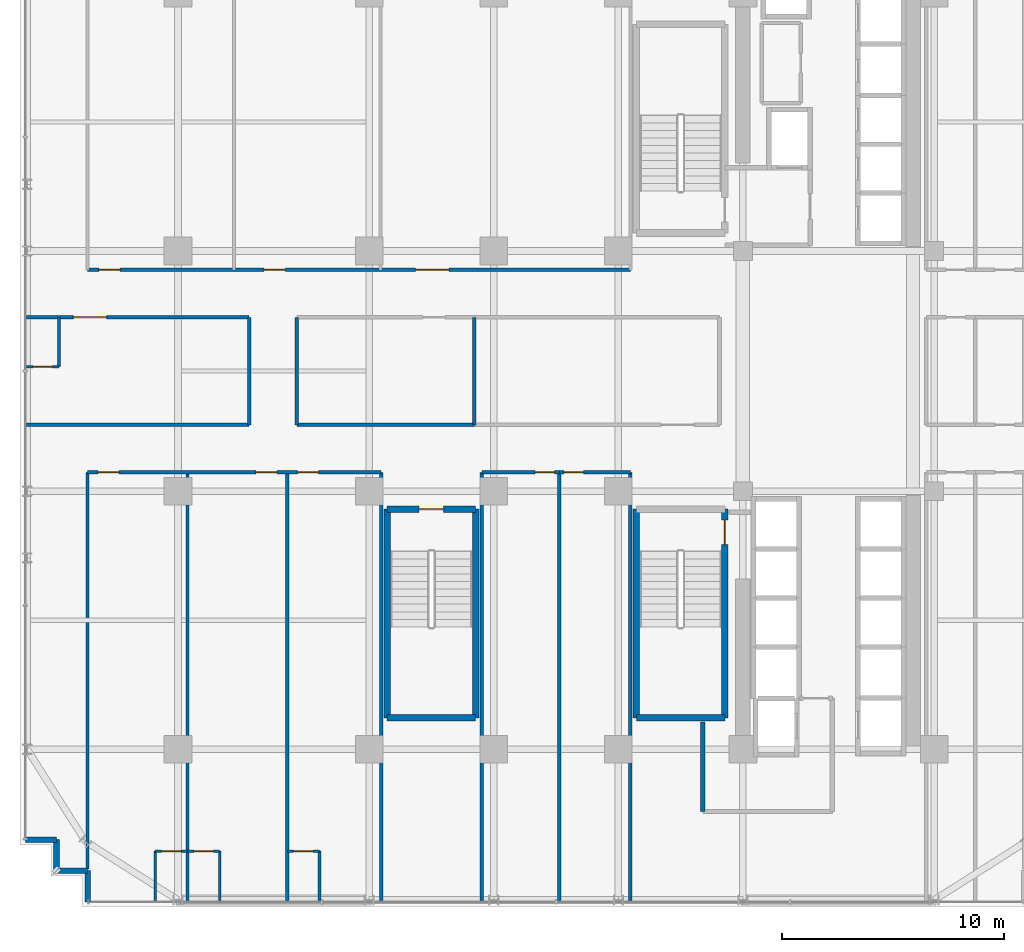
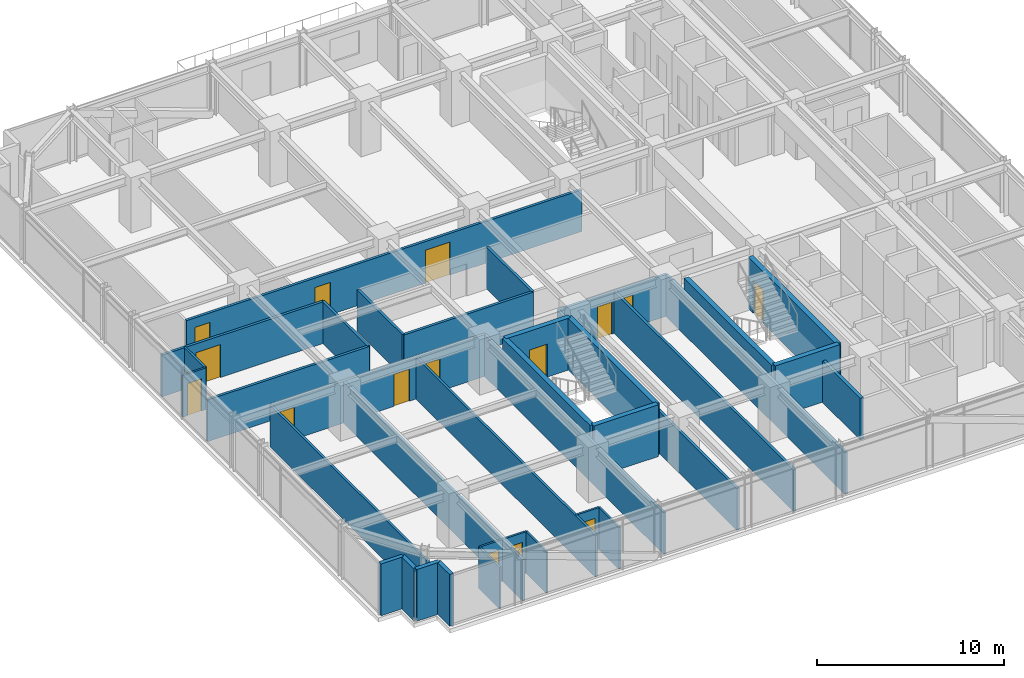
# One storey, part 33 of 41: 37 walls, 15 doors, 15 openings.
"""IFC4 building model written with IfcOpenShell, lengths in metres."""

import ifcopenshell
import ifcopenshell.guid

model = None  # the IFC model being written
_history = None  # IfcOwnerHistory: only IFC2X3 demands one
_inside = {}  # id of a spatial element -> (the spatial element, [elements in it])
_under = {}  # id of a project, library or spatial element -> (it, [spatial elements below it])
_declared = {}  # id of a project -> (the project, [libraries it declares])
_typed = {}  # id of a type object -> (the type object, [elements of that type])
_made_of = {}  # id of a material, layer set ... -> (it, [elements and type objects made of it])


def new_model(schema):
    """Start an empty IFC model of exactly this schema.

    Asked for "IFC4X3", IfcOpenShell would pick the latest addendum, in which some entities
    have other attributes; the version numbers below select the first issue.
    IFC2X3 requires an IfcOwnerHistory on every rooted entity: one is made here for all.
    """
    global model, _history
    if schema == "IFC4X3":
        model = ifcopenshell.file(schema_version=(4, 3, 0, 0))
    else:
        model = ifcopenshell.file(schema=schema)
    _inside.clear()
    _under.clear()
    _declared.clear()
    _typed.clear()
    _made_of.clear()
    _history = None
    if model.schema == "IFC2X3":
        org = make("IfcOrganization", Name="unknown")
        user = make(
            "IfcPersonAndOrganization",
            ThePerson=make("IfcPerson", FamilyName="unknown"),
            TheOrganization=org,
        )
        app = make(
            "IfcApplication",
            ApplicationDeveloper=org,
            Version="unknown",
            ApplicationFullName="unknown",
            ApplicationIdentifier="unknown",
        )
        _history = make(
            "IfcOwnerHistory",
            OwningUser=user,
            OwningApplication=app,
            ChangeAction="ADDED",
            CreationDate=0,
        )
    return model


def make(cls, **values):
    """One entity of the class cls with the attributes given. An attribute that is None is left unset."""
    return model.create_entity(
        cls, **{name: value for name, value in values.items() if value is not None}
    )


def rooted(cls, **values):
    """An entity with a GlobalId (a new one), such as an element, a storey or a relation."""
    return make(cls, GlobalId=ifcopenshell.guid.new(), OwnerHistory=_history, **values)


def si_unit(unit_type, name, prefix=None):
    """IfcSIUnit, for example si_unit("LENGTHUNIT", "METRE", prefix="MILLI")."""
    return make("IfcSIUnit", UnitType=unit_type, Prefix=prefix, Name=name)


def assignment(units):
    """IfcUnitAssignment: the units of a project."""
    return None if units is None else make("IfcUnitAssignment", Units=units)


def point(xyz):
    """IfcCartesianPoint."""
    return None if xyz is None else make("IfcCartesianPoint", Coordinates=xyz)


def direction(xyz):
    """IfcDirection."""
    return None if xyz is None else make("IfcDirection", DirectionRatios=xyz)


def frame(location, z_axis=None, x_axis=None):
    """IfcAxis2Placement3D, a coordinate frame: its origin and axes. An axis left out is left unset."""
    return make(
        "IfcAxis2Placement3D",
        Location=point(location),
        Axis=direction(z_axis),
        RefDirection=direction(x_axis),
    )


def frame_2d(location, x_axis=None):
    """IfcAxis2Placement2D, a coordinate frame in the plane: its origin and x axis."""
    return make(
        "IfcAxis2Placement2D", Location=point(location), RefDirection=direction(x_axis)
    )


def origin():
    """The frame at (0, 0, 0) with its axes left unset."""
    return frame((0.0, 0.0, 0.0))


def place(relative_to, where):
    """IfcLocalPlacement: puts the frame where relative to a parent placement (None: the world)."""
    return make(
        "IfcLocalPlacement", PlacementRelTo=relative_to, RelativePlacement=where
    )


def context(
    kind, dimensions, precision=None, world=None, true_north=None, identifier=None
):
    """IfcGeometricRepresentationContext, for example the 3D "Model" context."""
    return make(
        "IfcGeometricRepresentationContext",
        ContextIdentifier=identifier,
        ContextType=kind,
        CoordinateSpaceDimension=dimensions,
        Precision=precision,
        WorldCoordinateSystem=world,
        TrueNorth=true_north,
    )


def subcontext(parent, identifier, kind, view, scale=None):
    """IfcGeometricRepresentationSubContext, for example "Body" below "Model"."""
    return make(
        "IfcGeometricRepresentationSubContext",
        ContextIdentifier=identifier,
        ContextType=kind,
        ParentContext=parent,
        TargetScale=scale,
        TargetView=view,
    )


def project(units=None, contexts=None):
    """IfcProject with its units and contexts."""
    return rooted(
        "IfcProject",
        Name="project",
        RepresentationContexts=contexts,
        UnitsInContext=assignment(units),
    )


def spatial(cls, under=None, at=None, **own):
    """A site, building, storey or space (cls), placed at a placement, below another one or the project."""
    s = rooted(cls, ObjectPlacement=at, **own)
    if under is not None:
        _under.setdefault(under.id(), (under, []))[1].append(s)
    return s


def profile(cls, at=None, kind="AREA", **sizes):
    """A parametric profile (cls). Its sizes go by their IFC names, for example OverallWidth=200.0."""
    return make(cls, ProfileType=kind, Position=at, **sizes)


def rectangle(**sizes):
    """IfcRectangleProfileDef."""
    return profile("IfcRectangleProfileDef", **sizes)


def extrude(swept, where, along, depth):
    """IfcExtrudedAreaSolid: the profile swept, set in the frame where, extruded along a direction by depth."""
    return make(
        "IfcExtrudedAreaSolid",
        SweptArea=swept,
        Position=where,
        ExtrudedDirection=direction(along),
        Depth=depth,
    )


def shape(context_of_items, identifier, shape_type, items):
    """IfcShapeRepresentation: the items that make up one representation, for example the "Body"."""
    return make(
        "IfcShapeRepresentation",
        ContextOfItems=context_of_items,
        RepresentationIdentifier=identifier,
        RepresentationType=shape_type,
        Items=items,
    )


def source(mapping_origin, context_of_items, identifier, shape_type, items):
    """IfcRepresentationMap: a shape defined once, which mapped items show again and again."""
    return make(
        "IfcRepresentationMap",
        MappingOrigin=mapping_origin,
        MappedRepresentation=shape(context_of_items, identifier, shape_type, items),
    )


def transform(
    local_origin,
    x_axis=None,
    y_axis=None,
    z_axis=None,
    scale=None,
    scale2=None,
    scale3=None,
    uniform=True,
):
    """IfcCartesianTransformationOperator3D, or its non-uniform kind. x_axis, y_axis, z_axis: its Axis1, 2, 3."""
    if uniform:
        return make(
            "IfcCartesianTransformationOperator3D",
            Axis1=direction(x_axis),
            Axis2=direction(y_axis),
            LocalOrigin=point(local_origin),
            Scale=scale,
            Axis3=direction(z_axis),
        )
    return make(
        "IfcCartesianTransformationOperator3DnonUniform",
        Axis1=direction(x_axis),
        Axis2=direction(y_axis),
        LocalOrigin=point(local_origin),
        Scale=scale,
        Axis3=direction(z_axis),
        Scale2=scale2,
        Scale3=scale3,
    )


def mapped(mapping_source, mapping_target):
    """IfcMappedItem: shows the shape of a source again, moved by a transform."""
    return make(
        "IfcMappedItem", MappingSource=mapping_source, MappingTarget=mapping_target
    )


def material(Name=None, Category=None):
    """IfcMaterial."""
    return make("IfcMaterial", Name=Name, Category=Category)


def layer(
    of_material, thickness, ventilated=None, Name=None, Category=None, Priority=None
):
    """IfcMaterialLayer: one layer of a wall or slab, of a material (None: an air gap)."""
    return make(
        "IfcMaterialLayer",
        Material=of_material,
        LayerThickness=thickness,
        IsVentilated=ventilated,
        Name=Name,
        Category=Category,
        Priority=Priority,
    )


def layer_set(layers, Name=None):
    """IfcMaterialLayerSet."""
    return make("IfcMaterialLayerSet", MaterialLayers=layers, LayerSetName=Name)


def made_of(thing, what):
    """Note that an element or type object is made of a material, layer set ...; save() writes the relation."""
    if what is not None:
        _made_of.setdefault(what.id(), (what, []))[1].append(thing)
    return thing


def type_object(cls, material=None, **own):
    """A type object (cls), such as IfcWallType, which elements share."""
    return made_of(rooted(cls, **own), material)


def element(
    cls,
    number,
    at=None,
    inside=None,
    cuts=None,
    type_object=None,
    material=None,
    context=None,
    identifier="Body",
    shape_type=None,
    held_by="IfcProductDefinitionShape",
    body=None,
    shapes=None,
    **own,
):
    """One element of the class cls, such as IfcWall. Its Tag is "e" and its number.

    at: its placement. inside: the storey or other place that contains it. cuts: it is an
    opening in that element (IfcRelVoidsElement). A single representation is given by context,
    identifier, shape_type and body (its items); several are given by shapes. held_by: the class
    of the entity that holds the representations. save() writes the other relations.
    """
    e = rooted(cls, Tag="e%d" % number, ObjectPlacement=at, **own)
    if body is not None:
        shapes = [shape(context, identifier, shape_type, body)]
    if shapes is not None:
        e.Representation = make(held_by, Representations=shapes)
    if inside is not None:
        _inside.setdefault(inside.id(), (inside, []))[1].append(e)
    if cuts is not None:
        rooted(
            "IfcRelVoidsElement", RelatingBuildingElement=cuts, RelatedOpeningElement=e
        )
    if type_object is not None:
        _typed.setdefault(type_object.id(), (type_object, []))[1].append(e)
    return made_of(e, material)


def fill(opening, filler):
    """IfcRelFillsElement: the door or window that sits in an opening."""
    return rooted(
        "IfcRelFillsElement",
        RelatingOpeningElement=opening,
        RelatedBuildingElement=filler,
    )


def aggregate(whole, parts):
    """IfcRelAggregates: a whole, such as a stair, and the parts it consists of."""
    return rooted("IfcRelAggregates", RelatingObject=whole, RelatedObjects=parts)


def save(model, path):
    """Write the relations noted so far, then the file.

    IfcRelAggregates (storeys below a building ...), IfcRelContainedInSpatialStructure (elements
    in a storey), IfcRelDefinesByType, IfcRelAssociatesMaterial and IfcRelDeclares: one each for
    every whole, place, type object, material and project.
    """
    for whole, parts in _under.values():
        aggregate(whole, parts)
    for where, things in _inside.values():
        rooted(
            "IfcRelContainedInSpatialStructure",
            RelatedElements=things,
            RelatingStructure=where,
        )
    for kind, things in _typed.values():
        rooted("IfcRelDefinesByType", RelatedObjects=things, RelatingType=kind)
    for what, things in _made_of.values():
        rooted("IfcRelAssociatesMaterial", RelatedObjects=things, RelatingMaterial=what)
    for by, libraries in _declared.values():
        rooted("IfcRelDeclares", RelatingContext=by, RelatedDefinitions=libraries)
    model.write(path)


model = new_model("IFC4")

# Units and contexts
model_context = context("Model", 3, precision=1e-05, world=origin(), true_north=direction((0.0, 1.0)))
body_context = subcontext(model_context, "Body", "Model", "MODEL_VIEW")
ifc_project = project(units=[si_unit("LENGTHUNIT", "METRE"), si_unit("AREAUNIT", "SQUARE_METRE"), si_unit("VOLUMEUNIT", "CUBIC_METRE"), si_unit("PLANEANGLEUNIT", "RADIAN"), si_unit("MASSUNIT", "GRAM", prefix="KILO")], contexts=[model_context])

# Site, building, storey
site_placement = place(None, origin())
site = spatial("IfcSite", under=ifc_project, at=site_placement, CompositionType="ELEMENT")
building_placement = place(site_placement, origin())
building = spatial("IfcBuilding", under=site, at=building_placement, Name="Nahalor Promenade Grand Hotel", CompositionType="ELEMENT")
storey_placement = place(building_placement, frame((0.0, 0.0, 113.85009765625)))
storey = spatial("IfcBuildingStorey", under=building, at=storey_placement, Name="L28", CompositionType="ELEMENT", Elevation=113.85009765625)

# Walls
ifc_material_1 = material(Name="Concrete B-50 (C40/50)", Category="concrete")
ifc_layer_1 = layer(ifc_material_1, 0.300048828125)
ifc_layer_set_1 = layer_set([ifc_layer_1], Name="Concrete B-50 (C40/50)")
wall_type_1 = type_object("IfcWallType", Name="Wall-ShaftShear-300", PredefinedType="SHEAR", material=ifc_layer_set_1)
shared_shape_1 = source(origin(), body_context, "Body", "SweptSolid", [
    extrude(rectangle(XDim=3.97998046875, YDim=0.300048828125, at=frame_2d((1.989990234375, 0.0))), origin(), (0.0, 0.0, 1.0), 3.3798828125),
])
for number, where, z_axis, x_axis, name in (
    (1, (3.610107421875, -15.590087890625, 0.0), (0.0, 0.0, 1.0), (1.0, 0.0, 0.0), "L28 Exit Stair ST2 Shaft Wall S"),
    (2, (-7.590087890625, -15.590087890625, 0.0), (0.0, 0.0, 1.0), (1.0, 0.0, 0.0), "L28 Exit Stair ST3 Shaft Wall S"),
):
    element("IfcWall", number, at=place(storey_placement, frame(where, z_axis=z_axis, x_axis=x_axis)), inside=storey, type_object=wall_type_1, Name=name, PredefinedType="SHEAR", context=body_context, shape_type="MappedRepresentation", body=[
        mapped(shared_shape_1, transform((0.0, 0.0, 0.0), scale=1.0)),
    ])

# Wall, opening, door
wall_1_placement = place(storey_placement, frame((-7.590087890625, -6.2099609375, 0.0), z_axis=(0.0, 0.0, 1.0), x_axis=(1.0, 0.0, 0.0)))
wall_1 = element("IfcWall", 3, at=wall_1_placement, inside=storey, type_object=wall_type_1, Name="L28 Exit Stair ST3 Shaft Wall N", PredefinedType="SHEAR", context=body_context, shape_type="MappedRepresentation", body=[
    mapped(shared_shape_1, transform((0.0, 0.0, 0.0), scale=1.0)),
])
opening_1_placement = place(wall_1_placement, frame((1.43994140625, 0.0, 0.0)))
opening_1 = element("IfcOpeningElement", 4, at=opening_1_placement, cuts=wall_1, Name="Opening D-ST1", PredefinedType="OPENING", context=body_context, shape_type="SweptSolid", body=[
    extrude(rectangle(XDim=1.10009765625, YDim=2.14990234375, at=frame_2d((0.550048828125, 1.074951171875))), frame((0.0, 0.159912109375, 0.0), z_axis=(0.0, -1.0, 0.0), x_axis=(1.0, 0.0, 0.0)), (0.0, 0.0, 1.0), 0.320068359375),
])
ifc_material_2 = material(Name="Steel S355JR", Category="steel")
door_type_1 = type_object("IfcDoorType", Name="Door-StairFire-1100", OperationType="NOTDEFINED", PredefinedType="DOOR", material=ifc_material_2)
shared_shape_2 = source(origin(), body_context, "Body", "SweptSolid", [
    extrude(rectangle(XDim=1.10009765625, YDim=2.14990234375, at=frame_2d((0.550048828125, 1.074951171875))), frame((0.0, 0.02490234375, 0.0), z_axis=(0.0, -1.0, 0.0), x_axis=(1.0, 0.0, 0.0)), (0.0, 0.0, 1.0), 0.050048828125),
])
door_1_placement = place(opening_1_placement, frame((1.10009765625, 0.0, 0.0), z_axis=(0.0, 0.0, 1.0), x_axis=(-1.0, 0.0, 0.0)))
door_1 = element("IfcDoor", 5, at=door_1_placement, inside=storey, type_object=door_type_1, Name="DR-STAIR-ST3-L28", OperationType="SINGLE_SWING_LEFT", OverallHeight=2.14990234375, OverallWidth=1.10009765625, PredefinedType="DOOR", context=body_context, shape_type="MappedRepresentation", body=[
    mapped(shared_shape_2, transform((0.0, 0.0, 0.0), scale=1.0)),
])
fill(opening_1, door_1)

# Wall
shared_shape_3 = source(origin(), body_context, "Body", "SweptSolid", [
    extrude(rectangle(XDim=9.380126953125, YDim=0.300048828125, at=frame_2d((4.68994140625, 0.0))), origin(), (0.0, 0.0, 1.0), 3.3798828125),
])
wall_2_placement = place(storey_placement, frame((3.610107421875, -15.590087890625, 0.0), z_axis=(0.0, 0.0, 1.0), x_axis=(0.0, 1.0, 0.0)))
element("IfcWall", 6, at=wall_2_placement, inside=storey, type_object=wall_type_1, Name="L28 Exit Stair ST2 Shaft Wall W", PredefinedType="SHEAR", context=body_context, shape_type="MappedRepresentation", body=[
    mapped(shared_shape_3, transform((0.0, 0.0, 0.0), scale=1.0)),
])

# Wall, opening, door
wall_3_placement = place(storey_placement, frame((7.590087890625, -15.590087890625, 0.0), z_axis=(0.0, 0.0, 1.0), x_axis=(0.0, 1.0, 0.0)))
wall_3 = element("IfcWall", 7, at=wall_3_placement, inside=storey, type_object=wall_type_1, Name="L28 Exit Stair ST2 Shaft Wall E", PredefinedType="SHEAR", context=body_context, shape_type="MappedRepresentation", body=[
    mapped(shared_shape_3, transform((0.0, 0.0, 0.0), scale=1.0)),
])
opening_2_placement = place(wall_3_placement, frame((7.7900390625, 0.0, 0.0)))
opening_2 = element("IfcOpeningElement", 8, at=opening_2_placement, cuts=wall_3, Name="Opening D-ST1", PredefinedType="OPENING", context=body_context, shape_type="SweptSolid", body=[
    extrude(rectangle(XDim=1.10009765625, YDim=2.14990234375, at=frame_2d((0.550048828125, 1.074951171875))), frame((0.0, 0.159912109375, 0.0), z_axis=(0.0, -1.0, 0.0), x_axis=(1.0, 0.0, 0.0)), (0.0, 0.0, 1.0), 0.320068359375),
])
door_2_placement = place(opening_2_placement, origin())
door_2 = element("IfcDoor", 9, at=door_2_placement, inside=storey, type_object=door_type_1, Name="DR-STAIR-ST2-L28", OperationType="SINGLE_SWING_LEFT", OverallHeight=2.14990234375, OverallWidth=1.10009765625, PredefinedType="DOOR", context=body_context, shape_type="MappedRepresentation", body=[
    mapped(shared_shape_2, transform((0.0, 0.0, 0.0), scale=1.0)),
])
fill(opening_2, door_2)

# Walls
for number, where, z_axis, x_axis, name in (
    (10, (-7.590087890625, -15.590087890625, 0.0), (0.0, 0.0, 1.0), (0.0, 1.0, 0.0), "L28 Exit Stair ST3 Shaft Wall W"),
    (11, (-3.610107421875, -15.590087890625, 0.0), (0.0, 0.0, 1.0), (0.0, 1.0, 0.0), "L28 Exit Stair ST3 Shaft Wall E"),
):
    element("IfcWall", number, at=place(storey_placement, frame(where, z_axis=z_axis, x_axis=x_axis)), inside=storey, type_object=wall_type_1, Name=name, PredefinedType="SHEAR", context=body_context, shape_type="MappedRepresentation", body=[
        mapped(shared_shape_3, transform((0.0, 0.0, 0.0), scale=1.0)),
    ])
ifc_material_3 = material(Name="Concrete B-40 (C32/40)", Category="concrete")
ifc_layer_2 = layer(ifc_material_3, 0.25)
ifc_layer_set_2 = layer_set([ifc_layer_2], Name="Concrete B-40 (C32/40)")
wall_type_2 = type_object("IfcWallType", Name="Wall-BronzePier-250", PredefinedType="STANDARD", material=ifc_layer_set_2)
shared_shape_4 = source(origin(), body_context, "Body", "SweptSolid", [
    extrude(rectangle(XDim=1.400146484375, YDim=0.25, at=frame_2d((0.7001953125, 0.0))), origin(), (0.0, 0.0, 1.0), 3.3798828125),
])
for number, where, z_axis, x_axis, name in (
    (12, (-23.860107421875, -21.06005859375, 0.0), (0.0, 0.0, 1.0), (1.0, 0.0, 0.0), "W-L28-SR-13"),
    (13, (-21.06005859375, -23.860107421875, 0.0), (0.0, 0.0, 1.0), (0.0, 1.0, 0.0), "W-L28-SR-16"),
):
    element("IfcWall", number, at=place(storey_placement, frame(where, z_axis=z_axis, x_axis=x_axis)), inside=storey, type_object=wall_type_2, Name=name, PredefinedType="STANDARD", context=body_context, shape_type="MappedRepresentation", body=[
        mapped(shared_shape_4, transform((0.0, 0.0, 0.0), scale=1.0)),
    ])
shared_shape_5 = source(origin(), body_context, "Body", "SweptSolid", [
    extrude(rectangle(XDim=1.39990234375, YDim=0.25, at=frame_2d((0.699951171875, 0.0))), origin(), (0.0, 0.0, 1.0), 3.3798828125),
])
for number, where, z_axis, x_axis, name in (
    (14, (-22.4599609375, -22.4599609375, 0.0), (0.0, 0.0, 1.0), (0.0, 1.0, 0.0), "W-L28-SR-14"),
    (15, (-22.4599609375, -22.4599609375, 0.0), (0.0, 0.0, 1.0), (1.0, 0.0, 0.0), "W-L28-SR-15"),
):
    element("IfcWall", number, at=place(storey_placement, frame(where, z_axis=z_axis, x_axis=x_axis)), inside=storey, type_object=wall_type_2, Name=name, PredefinedType="STANDARD", context=body_context, shape_type="MappedRepresentation", body=[
        mapped(shared_shape_5, transform((0.0, 0.0, 0.0), scale=1.0)),
    ])
ifc_layer_3 = layer(ifc_material_3, 0.199951171875)
ifc_layer_set_3 = layer_set([ifc_layer_3], Name="Concrete B-40 (C32/40)")
wall_type_3 = type_object("IfcWallType", Name="Wall-PartFire-200", PredefinedType="PARTITIONING", material=ifc_layer_set_3)
shared_shape_6 = source(origin(), body_context, "Body", "SweptSolid", [
    extrude(rectangle(XDim=4.030029296875, YDim=0.199951171875, at=frame_2d((2.01513671875, 0.0))), origin(), (0.0, 0.0, 1.0), 2.719970703125),
])
wall_4_placement = place(storey_placement, frame((6.60009765625, -19.800048828125, 0.0), z_axis=(0.0, 0.0, 1.0), x_axis=(0.0, 1.0, 0.0)))
element("IfcWall", 16, at=wall_4_placement, inside=storey, type_object=wall_type_3, Name="W-L28-FF2-W1", PredefinedType="PARTITIONING", context=body_context, shape_type="MappedRepresentation", body=[
    mapped(shared_shape_6, transform((0.0, 0.0, 0.0), scale=1.0)),
])
ifc_material_4 = material(Name="Acoustic Mineral Gypsum", Category="gypsum")
ifc_layer_4 = layer(ifc_material_4, 0.159912109375)
ifc_layer_set_4 = layer_set([ifc_layer_4], Name="Acoustic Mineral Gypsum")
wall_type_4 = type_object("IfcWallType", Name="Wall-PartCorridor-160", PredefinedType="PARTITIONING", material=ifc_layer_set_4)
shared_shape_7 = source(origin(), body_context, "Body", "SweptSolid", [
    extrude(rectangle(XDim=19.25, YDim=0.159912109375, at=frame_2d((9.625, 0.0))), origin(), (0.0, 0.0, 1.0), 2.719970703125),
])
for number, where, z_axis, x_axis, name in (
    (17, (-3.340087890625, -23.800048828125, 0.0), (0.0, 0.0, 1.0), (0.0, 1.0, 0.0), "W-L28-SCB1-W"),
    (18, (0.14990234375, -23.800048828125, 0.0), (0.0, 0.0, 1.0), (0.0, 1.0, 0.0), "W-L28-SCB1-E"),
    (19, (3.340087890625, -23.800048828125, 0.0), (0.0, 0.0, 1.0), (0.0, 1.0, 0.0), "W-L28-SCB2-E"),
):
    element("IfcWall", number, at=place(storey_placement, frame(where, z_axis=z_axis, x_axis=x_axis)), inside=storey, type_object=wall_type_4, Name=name, PredefinedType="PARTITIONING", context=body_context, shape_type="MappedRepresentation", body=[
        mapped(shared_shape_7, transform((0.0, 0.0, 0.0), scale=1.0)),
    ])

# Wall, openings, doors
shared_shape_8 = source(origin(), body_context, "Body", "SweptSolid", [
    extrude(rectangle(XDim=24.400146484375, YDim=0.159912109375, at=frame_2d((12.2001953125, 0.0))), origin(), (0.0, 0.0, 1.0), 2.719970703125),
])
wall_5_placement = place(storey_placement, frame((-21.06005859375, 4.550048828125, 0.0), z_axis=(0.0, 0.0, 1.0), x_axis=(1.0, 0.0, 0.0)))
wall_5 = element("IfcWall", 20, at=wall_5_placement, inside=storey, type_object=wall_type_4, Name="W-L28-CORR-N", PredefinedType="PARTITIONING", context=body_context, shape_type="MappedRepresentation", body=[
    mapped(shared_shape_8, transform((0.0, 0.0, 0.0), scale=1.0)),
])
opening_3_placement = place(wall_5_placement, frame((0.510009765625, 0.0, 0.0)))
opening_3 = element("IfcOpeningElement", 21, at=opening_3_placement, cuts=wall_5, Name="Opening D-01", PredefinedType="OPENING", context=body_context, shape_type="SweptSolid", body=[
    extrude(rectangle(XDim=0.949951171875, YDim=2.10009765625, at=frame_2d((0.47509765625, 1.050048828125))), frame((0.0, 0.08984375, 0.0), z_axis=(0.0, -1.0, 0.0), x_axis=(1.0, 0.0, 0.0)), (0.0, 0.0, 1.0), 0.179931640625),
])
opening_4_placement = place(wall_5_placement, frame((7.93798828125, 0.0, 0.0)))
opening_4 = element("IfcOpeningElement", 22, at=opening_4_placement, cuts=wall_5, Name="Opening D-01", PredefinedType="OPENING", context=body_context, shape_type="SweptSolid", body=[
    extrude(rectangle(XDim=0.949951171875, YDim=2.10009765625, at=frame_2d((0.47509765625, 1.050048828125))), frame((0.0, 0.08984375, 0.0), z_axis=(0.0, -1.0, 0.0), x_axis=(1.0, 0.0, 0.0)), (0.0, 0.0, 1.0), 0.179931640625),
])
opening_5_placement = place(wall_5_placement, frame((14.74609375, 0.0, 0.0)))
opening_5 = element("IfcOpeningElement", 23, at=opening_5_placement, cuts=wall_5, Name="Opening D-02", PredefinedType="OPENING", context=body_context, shape_type="SweptSolid", body=[
    extrude(rectangle(XDim=1.5, YDim=2.14990234375, at=frame_2d((0.75, 1.074951171875))), frame((0.0, 0.08984375, 0.0), z_axis=(0.0, -1.0, 0.0), x_axis=(1.0, 0.0, 0.0)), (0.0, 0.0, 1.0), 0.179931640625),
])
ifc_material_5 = material(Name="Fire-Rated Timber Composite", Category="wood")
door_type_2 = type_object("IfcDoorType", Name="Door-SuiteDouble-1500", OperationType="DOUBLE_DOOR_SINGLE_SWING", PredefinedType="DOOR", material=ifc_material_5)
shared_shape_9 = source(origin(), body_context, "Body", "SweptSolid", [
    extrude(rectangle(XDim=1.5, YDim=2.14990234375, at=frame_2d((0.75, 1.074951171875))), frame((0.0, 0.02490234375, 0.0), z_axis=(0.0, -1.0, 0.0), x_axis=(1.0, 0.0, 0.0)), (0.0, 0.0, 1.0), 0.050048828125),
])
door_3_placement = place(opening_5_placement, origin())
door_3 = element("IfcDoor", 24, at=door_3_placement, inside=storey, type_object=door_type_2, Name="DR-L28-N3-ENT", OperationType="DOUBLE_DOOR_SINGLE_SWING", OverallHeight=2.14990234375, OverallWidth=1.5, PredefinedType="DOOR", context=body_context, shape_type="MappedRepresentation", body=[
    mapped(shared_shape_9, transform((0.0, 0.0, 0.0), scale=1.0)),
])
fill(opening_5, door_3)
door_type_3 = type_object("IfcDoorType", Name="Door-GuestEntry-950", OperationType="NOTDEFINED", PredefinedType="DOOR", material=ifc_material_5)
shared_shape_10 = source(origin(), body_context, "Body", "SweptSolid", [
    extrude(rectangle(XDim=0.949951171875, YDim=2.10009765625, at=frame_2d((0.47509765625, 1.050048828125))), frame((0.0, 0.02490234375, 0.0), z_axis=(0.0, -1.0, 0.0), x_axis=(1.0, 0.0, 0.0)), (0.0, 0.0, 1.0), 0.050048828125),
])
door_4_placement = place(opening_3_placement, origin())
door_4 = element("IfcDoor", 25, at=door_4_placement, inside=storey, type_object=door_type_3, Name="DR-L28-N1-ENT", OperationType="SINGLE_SWING_RIGHT", OverallHeight=2.10009765625, OverallWidth=0.949951171875, PredefinedType="DOOR", context=body_context, shape_type="MappedRepresentation", body=[
    mapped(shared_shape_10, transform((0.0, 0.0, 0.0), scale=1.0)),
])
fill(opening_3, door_4)
door_5_placement = place(opening_4_placement, origin())
door_5 = element("IfcDoor", 26, at=door_5_placement, inside=storey, type_object=door_type_3, Name="DR-L28-N2-ENT", OperationType="SINGLE_SWING_RIGHT", OverallHeight=2.10009765625, OverallWidth=0.949951171875, PredefinedType="DOOR", context=body_context, shape_type="MappedRepresentation", body=[
    mapped(shared_shape_10, transform((0.0, 0.0, 0.0), scale=1.0)),
])
fill(opening_4, door_5)

# Walls
ifc_layer_5 = layer(ifc_material_4, 0.139892578125)
ifc_layer_set_5 = layer_set([ifc_layer_5], Name="Acoustic Mineral Gypsum")
wall_type_5 = type_object("IfcWallType", Name="Wall-PartSuite-140", PredefinedType="PARTITIONING", material=ifc_layer_set_5)
shared_shape_11 = source(origin(), body_context, "Body", "SweptSolid", [
    extrude(rectangle(XDim=17.829833984375, YDim=0.139892578125, at=frame_2d((8.9150390625, 0.0))), origin(), (0.0, 0.0, 1.0), 2.719970703125),
])
wall_6_placement = place(storey_placement, frame((-21.06005859375, -22.3798828125, 0.0), z_axis=(0.0, 0.0, 1.0), x_axis=(0.0, 1.0, 0.0)))
element("IfcWall", 27, at=wall_6_placement, inside=storey, type_object=wall_type_5, Name="W-L28-SW-ENDW", PredefinedType="PARTITIONING", context=body_context, shape_type="MappedRepresentation", body=[
    mapped(shared_shape_11, transform((0.0, 0.0, 0.0), scale=1.0)),
])
shared_shape_12 = source(origin(), body_context, "Body", "SweptSolid", [
    extrude(rectangle(XDim=19.25, YDim=0.139892578125, at=frame_2d((9.625, 0.0))), origin(), (0.0, 0.0, 1.0), 2.719970703125),
])
for number, where, z_axis, x_axis, name in (
    (28, (-7.860107421875, -23.800048828125, 0.0), (0.0, 0.0, 1.0), (0.0, 1.0, 0.0), "W-L28-SW-ENDE"),
    (29, (-16.572021484375, -23.800048828125, 0.0), (0.0, 0.0, 1.0), (0.0, 1.0, 0.0), "W-L28-SP-1"),
    (30, (-12.083984375, -23.800048828125, 0.0), (0.0, 0.0, 1.0), (0.0, 1.0, 0.0), "W-L28-SP-2"),
):
    element("IfcWall", number, at=place(storey_placement, frame(where, z_axis=z_axis, x_axis=x_axis)), inside=storey, type_object=wall_type_5, Name=name, PredefinedType="PARTITIONING", context=body_context, shape_type="MappedRepresentation", body=[
        mapped(shared_shape_12, transform((0.0, 0.0, 0.0), scale=1.0)),
    ])
ifc_layer_6 = layer(ifc_material_4, 0.1201171875)
ifc_layer_set_6 = layer_set([ifc_layer_6], Name="Acoustic Mineral Gypsum")
wall_type_6 = type_object("IfcWallType", Name="Wall-PartBath-120", PredefinedType="PARTITIONING", material=ifc_layer_set_6)
shared_shape_13 = source(origin(), body_context, "Body", "SweptSolid", [
    extrude(rectangle(XDim=2.219970703125, YDim=0.1201171875, at=frame_2d((1.10986328125, 0.0))), origin(), (0.0, 0.0, 1.0), 2.719970703125),
])
for number, where, z_axis, x_axis, name in (
    (31, (-18.02197265625, -23.800048828125, 0.0), (0.0, 0.0, 1.0), (0.0, 1.0, 0.0), "W-L28-S1-BV"),
    (32, (-15.1220703125, -23.800048828125, 0.0), (0.0, 0.0, 1.0), (0.0, 1.0, 0.0), "W-L28-S2-BV"),
    (33, (-10.634033203125, -23.800048828125, 0.0), (0.0, 0.0, 1.0), (0.0, 1.0, 0.0), "W-L28-S3-BV"),
    (34, (-22.35009765625, 0.199951171875, 0.0), (0.0, 0.0, 1.0), (0.0, 1.0, 0.0), "W-L28-W1-BV"),
):
    element("IfcWall", number, at=place(storey_placement, frame(where, z_axis=z_axis, x_axis=x_axis)), inside=storey, type_object=wall_type_6, Name=name, PredefinedType="PARTITIONING", context=body_context, shape_type="MappedRepresentation", body=[
        mapped(shared_shape_13, transform((0.0, 0.0, 0.0), scale=1.0)),
    ])

# Wall, opening, door
shared_shape_14 = source(origin(), body_context, "Body", "SweptSolid", [
    extrude(rectangle(XDim=1.449951171875, YDim=0.1201171875, at=frame_2d((0.72509765625, 0.0))), origin(), (0.0, 0.0, 1.0), 2.719970703125),
])
wall_7_placement = place(storey_placement, frame((-18.02197265625, -21.580078125, 0.0), z_axis=(0.0, 0.0, 1.0), x_axis=(1.0, 0.0, 0.0)))
wall_7 = element("IfcWall", 35, at=wall_7_placement, inside=storey, type_object=wall_type_6, Name="W-L28-S1-BH", PredefinedType="PARTITIONING", context=body_context, shape_type="MappedRepresentation", body=[
    mapped(shared_shape_14, transform((0.0, 0.0, 0.0), scale=1.0)),
])
opening_6_placement = place(wall_7_placement, frame((0.284912109375, 0.0, 0.0)))
opening_6 = element("IfcOpeningElement", 36, at=opening_6_placement, cuts=wall_7, Name="Opening D-03", PredefinedType="OPENING", context=body_context, shape_type="SweptSolid", body=[
    extrude(rectangle(XDim=0.8798828125, YDim=2.10009765625, at=frame_2d((0.43994140625, 1.050048828125))), frame((0.0, 0.070068359375, 0.0), z_axis=(0.0, -1.0, 0.0), x_axis=(1.0, 0.0, 0.0)), (0.0, 0.0, 1.0), 0.14013671875),
])
door_type_4 = type_object("IfcDoorType", Name="Door-BathSwing-880", OperationType="NOTDEFINED", PredefinedType="DOOR", material=ifc_material_5)
shared_shape_15 = source(origin(), body_context, "Body", "SweptSolid", [
    extrude(rectangle(XDim=0.8798828125, YDim=2.10009765625, at=frame_2d((0.43994140625, 1.050048828125))), frame((0.0, 0.02490234375, 0.0), z_axis=(0.0, -1.0, 0.0), x_axis=(1.0, 0.0, 0.0)), (0.0, 0.0, 1.0), 0.050048828125),
])
door_6_placement = place(opening_6_placement, frame((0.8798828125, 0.0, 0.0), z_axis=(0.0, 0.0, 1.0), x_axis=(-1.0, 0.0, 0.0)))
door_6 = element("IfcDoor", 37, at=door_6_placement, inside=storey, type_object=door_type_4, Name="DR-L28-S1-BATH", OperationType="SINGLE_SWING_RIGHT", OverallHeight=2.10009765625, OverallWidth=0.8798828125, PredefinedType="DOOR", context=body_context, shape_type="MappedRepresentation", body=[
    mapped(shared_shape_15, transform((0.0, 0.0, 0.0), scale=1.0)),
])
fill(opening_6, door_6)

wall_8_placement = place(storey_placement, frame((-16.572021484375, -21.580078125, 0.0), z_axis=(0.0, 0.0, 1.0), x_axis=(1.0, 0.0, 0.0)))
wall_8 = element("IfcWall", 38, at=wall_8_placement, inside=storey, type_object=wall_type_6, Name="W-L28-S2-BH", PredefinedType="PARTITIONING", context=body_context, shape_type="MappedRepresentation", body=[
    mapped(shared_shape_14, transform((0.0, 0.0, 0.0), scale=1.0)),
])
opening_7_placement = place(wall_8_placement, frame((0.284912109375, 0.0, 0.0)))
opening_7 = element("IfcOpeningElement", 39, at=opening_7_placement, cuts=wall_8, Name="Opening D-03", PredefinedType="OPENING", context=body_context, shape_type="SweptSolid", body=[
    extrude(rectangle(XDim=0.8798828125, YDim=2.10009765625, at=frame_2d((0.43994140625, 1.050048828125))), frame((0.0, 0.070068359375, 0.0), z_axis=(0.0, -1.0, 0.0), x_axis=(1.0, 0.0, 0.0)), (0.0, 0.0, 1.0), 0.14013671875),
])
door_7_placement = place(opening_7_placement, frame((0.8798828125, 0.0, 0.0), z_axis=(0.0, 0.0, 1.0), x_axis=(-1.0, 0.0, 0.0)))
door_7 = element("IfcDoor", 40, at=door_7_placement, inside=storey, type_object=door_type_4, Name="DR-L28-S2-BATH", OperationType="SINGLE_SWING_RIGHT", OverallHeight=2.10009765625, OverallWidth=0.8798828125, PredefinedType="DOOR", context=body_context, shape_type="MappedRepresentation", body=[
    mapped(shared_shape_15, transform((0.0, 0.0, 0.0), scale=1.0)),
])
fill(opening_7, door_7)

wall_9_placement = place(storey_placement, frame((-12.083984375, -21.580078125, 0.0), z_axis=(0.0, 0.0, 1.0), x_axis=(1.0, 0.0, 0.0)))
wall_9 = element("IfcWall", 41, at=wall_9_placement, inside=storey, type_object=wall_type_6, Name="W-L28-S3-BH", PredefinedType="PARTITIONING", context=body_context, shape_type="MappedRepresentation", body=[
    mapped(shared_shape_14, transform((0.0, 0.0, 0.0), scale=1.0)),
])
opening_8_placement = place(wall_9_placement, frame((0.284912109375, 0.0, 0.0)))
opening_8 = element("IfcOpeningElement", 42, at=opening_8_placement, cuts=wall_9, Name="Opening D-03", PredefinedType="OPENING", context=body_context, shape_type="SweptSolid", body=[
    extrude(rectangle(XDim=0.8798828125, YDim=2.10009765625, at=frame_2d((0.43994140625, 1.050048828125))), frame((0.0, 0.070068359375, 0.0), z_axis=(0.0, -1.0, 0.0), x_axis=(1.0, 0.0, 0.0)), (0.0, 0.0, 1.0), 0.14013671875),
])
door_8_placement = place(opening_8_placement, frame((0.8798828125, 0.0, 0.0), z_axis=(0.0, 0.0, 1.0), x_axis=(-1.0, 0.0, 0.0)))
door_8 = element("IfcDoor", 43, at=door_8_placement, inside=storey, type_object=door_type_4, Name="DR-L28-S3-BATH", OperationType="SINGLE_SWING_RIGHT", OverallHeight=2.10009765625, OverallWidth=0.8798828125, PredefinedType="DOOR", context=body_context, shape_type="MappedRepresentation", body=[
    mapped(shared_shape_15, transform((0.0, 0.0, 0.0), scale=1.0)),
])
fill(opening_8, door_8)

wall_10_placement = place(storey_placement, frame((-23.800048828125, 0.199951171875, 0.0), z_axis=(0.0, 0.0, 1.0), x_axis=(1.0, 0.0, 0.0)))
wall_10 = element("IfcWall", 44, at=wall_10_placement, inside=storey, type_object=wall_type_6, Name="W-L28-W1-BH", PredefinedType="PARTITIONING", context=body_context, shape_type="MappedRepresentation", body=[
    mapped(shared_shape_14, transform((0.0, 0.0, 0.0), scale=1.0)),
])
opening_9_placement = place(wall_10_placement, frame((0.284912109375, 0.0, 0.0)))
opening_9 = element("IfcOpeningElement", 45, at=opening_9_placement, cuts=wall_10, Name="Opening D-03", PredefinedType="OPENING", context=body_context, shape_type="SweptSolid", body=[
    extrude(rectangle(XDim=0.8798828125, YDim=2.10009765625, at=frame_2d((0.43994140625, 1.050048828125))), frame((0.0, 0.070068359375, 0.0), z_axis=(0.0, -1.0, 0.0), x_axis=(1.0, 0.0, 0.0)), (0.0, 0.0, 1.0), 0.14013671875),
])
door_9_placement = place(opening_9_placement, origin())
door_9 = element("IfcDoor", 46, at=door_9_placement, inside=storey, type_object=door_type_4, Name="DR-L28-W1-BATH", OperationType="SINGLE_SWING_RIGHT", OverallHeight=2.10009765625, OverallWidth=0.8798828125, PredefinedType="DOOR", context=body_context, shape_type="MappedRepresentation", body=[
    mapped(shared_shape_15, transform((0.0, 0.0, 0.0), scale=1.0)),
])
fill(opening_9, door_9)

# Wall, openings, doors
shared_shape_16 = source(origin(), body_context, "Body", "SweptSolid", [
    extrude(rectangle(XDim=13.199951171875, YDim=0.159912109375, at=frame_2d((6.60009765625, 0.0))), origin(), (0.0, 0.0, 1.0), 2.719970703125),
])
wall_11_placement = place(storey_placement, frame((-21.06005859375, -4.550048828125, 0.0), z_axis=(0.0, 0.0, 1.0), x_axis=(1.0, 0.0, 0.0)))
wall_11 = element("IfcWall", 47, at=wall_11_placement, inside=storey, type_object=wall_type_4, Name="W-L28-CORR-S", PredefinedType="PARTITIONING", context=body_context, shape_type="MappedRepresentation", body=[
    mapped(shared_shape_16, transform((0.0, 0.0, 0.0), scale=1.0)),
])
opening_10_placement = place(wall_11_placement, frame((0.464111328125, 0.0, 0.0)))
opening_10 = element("IfcOpeningElement", 48, at=opening_10_placement, cuts=wall_11, Name="Opening D-01", PredefinedType="OPENING", context=body_context, shape_type="SweptSolid", body=[
    extrude(rectangle(XDim=0.949951171875, YDim=2.10009765625, at=frame_2d((0.47509765625, 1.050048828125))), frame((0.0, 0.08984375, 0.0), z_axis=(0.0, -1.0, 0.0), x_axis=(1.0, 0.0, 0.0)), (0.0, 0.0, 1.0), 0.179931640625),
])
opening_11_placement = place(wall_11_placement, frame((7.56201171875, 0.0, 0.0)))
opening_11 = element("IfcOpeningElement", 49, at=opening_11_placement, cuts=wall_11, Name="Opening D-01", PredefinedType="OPENING", context=body_context, shape_type="SweptSolid", body=[
    extrude(rectangle(XDim=0.949951171875, YDim=2.10009765625, at=frame_2d((0.47509765625, 1.050048828125))), frame((0.0, 0.08984375, 0.0), z_axis=(0.0, -1.0, 0.0), x_axis=(1.0, 0.0, 0.0)), (0.0, 0.0, 1.0), 0.179931640625),
])
opening_12_placement = place(wall_11_placement, frame((9.43505859375, 0.0, 0.0)))
opening_12 = element("IfcOpeningElement", 50, at=opening_12_placement, cuts=wall_11, Name="Opening D-01", PredefinedType="OPENING", context=body_context, shape_type="SweptSolid", body=[
    extrude(rectangle(XDim=0.949951171875, YDim=2.10009765625, at=frame_2d((0.47509765625, 1.050048828125))), frame((0.0, 0.08984375, 0.0), z_axis=(0.0, -1.0, 0.0), x_axis=(1.0, 0.0, 0.0)), (0.0, 0.0, 1.0), 0.179931640625),
])
door_10_placement = place(opening_10_placement, frame((0.949951171875, 0.0, 0.0), z_axis=(0.0, 0.0, 1.0), x_axis=(-1.0, 0.0, 0.0)))
door_10 = element("IfcDoor", 51, at=door_10_placement, inside=storey, type_object=door_type_3, Name="DR-L28-S1-ENT", OperationType="SINGLE_SWING_LEFT", OverallHeight=2.10009765625, OverallWidth=0.949951171875, PredefinedType="DOOR", context=body_context, shape_type="MappedRepresentation", body=[
    mapped(shared_shape_10, transform((0.0, 0.0, 0.0), scale=1.0)),
])
fill(opening_10, door_10)
door_11_placement = place(opening_11_placement, frame((0.949951171875, 0.0, 0.0), z_axis=(0.0, 0.0, 1.0), x_axis=(-1.0, 0.0, 0.0)))
door_11 = element("IfcDoor", 52, at=door_11_placement, inside=storey, type_object=door_type_3, Name="DR-L28-S2-ENT", OperationType="SINGLE_SWING_LEFT", OverallHeight=2.10009765625, OverallWidth=0.949951171875, PredefinedType="DOOR", context=body_context, shape_type="MappedRepresentation", body=[
    mapped(shared_shape_10, transform((0.0, 0.0, 0.0), scale=1.0)),
])
fill(opening_11, door_11)
door_12_placement = place(opening_12_placement, frame((0.949951171875, 0.0, 0.0), z_axis=(0.0, 0.0, 1.0), x_axis=(-1.0, 0.0, 0.0)))
door_12 = element("IfcDoor", 53, at=door_12_placement, inside=storey, type_object=door_type_3, Name="DR-L28-S3-ENT", OperationType="SINGLE_SWING_LEFT", OverallHeight=2.10009765625, OverallWidth=0.949951171875, PredefinedType="DOOR", context=body_context, shape_type="MappedRepresentation", body=[
    mapped(shared_shape_10, transform((0.0, 0.0, 0.0), scale=1.0)),
])
fill(opening_12, door_12)

# Walls
shared_shape_17 = source(origin(), body_context, "Body", "SweptSolid", [
    extrude(rectangle(XDim=4.83984375, YDim=0.159912109375, at=frame_2d((2.419921875, 0.0))), origin(), (0.0, 0.0, 1.0), 2.719970703125),
])
for number, where, z_axis, x_axis, name in (
    (54, (-13.800048828125, -2.419921875, 0.0), (0.0, 0.0, 1.0), (0.0, 1.0, 0.0), "W-L28-WEST-E"),
    (55, (-11.64990234375, -2.419921875, 0.0), (0.0, 0.0, 1.0), (0.0, 1.0, 0.0), "W-L28-CM1-W"),
    (56, (-3.669921875, -2.419921875, 0.0), (0.0, 0.0, 1.0), (0.0, 1.0, 0.0), "W-L28-CM1-E"),
):
    element("IfcWall", number, at=place(storey_placement, frame(where, z_axis=z_axis, x_axis=x_axis)), inside=storey, type_object=wall_type_4, Name=name, PredefinedType="PARTITIONING", context=body_context, shape_type="MappedRepresentation", body=[
        mapped(shared_shape_17, transform((0.0, 0.0, 0.0), scale=1.0)),
    ])

# Wall, opening, door
shared_shape_18 = source(origin(), body_context, "Body", "SweptSolid", [
    extrude(rectangle(XDim=3.489990234375, YDim=0.159912109375, at=frame_2d((1.7451171875, 0.0))), origin(), (0.0, 0.0, 1.0), 2.719970703125),
])
wall_12_placement = place(storey_placement, frame((-3.340087890625, -4.550048828125, 0.0), z_axis=(0.0, 0.0, 1.0), x_axis=(1.0, 0.0, 0.0)))
wall_12 = element("IfcWall", 57, at=wall_12_placement, inside=storey, type_object=wall_type_4, Name="W-L28-SCB1-N", PredefinedType="PARTITIONING", context=body_context, shape_type="MappedRepresentation", body=[
    mapped(shared_shape_18, transform((0.0, 0.0, 0.0), scale=1.0)),
])
opening_13_placement = place(wall_12_placement, frame((2.39990234375, 0.0, 0.0)))
opening_13 = element("IfcOpeningElement", 58, at=opening_13_placement, cuts=wall_12, Name="Opening D-03", PredefinedType="OPENING", context=body_context, shape_type="SweptSolid", body=[
    extrude(rectangle(XDim=0.8798828125, YDim=2.10009765625, at=frame_2d((0.43994140625, 1.050048828125))), frame((0.0, 0.08984375, 0.0), z_axis=(0.0, -1.0, 0.0), x_axis=(1.0, 0.0, 0.0)), (0.0, 0.0, 1.0), 0.179931640625),
])
door_13_placement = place(opening_13_placement, frame((0.8798828125, 0.0, 0.0), z_axis=(0.0, 0.0, 1.0), x_axis=(-1.0, 0.0, 0.0)))
door_13 = element("IfcDoor", 59, at=door_13_placement, inside=storey, type_object=door_type_4, Name="DR-L28-SCB1", OperationType="SINGLE_SWING_RIGHT", OverallHeight=2.10009765625, OverallWidth=0.8798828125, PredefinedType="DOOR", context=body_context, shape_type="MappedRepresentation", body=[
    mapped(shared_shape_15, transform((0.0, 0.0, 0.0), scale=1.0)),
])
fill(opening_13, door_13)

shared_shape_19 = source(origin(), body_context, "Body", "SweptSolid", [
    extrude(rectangle(XDim=3.190185546875, YDim=0.159912109375, at=frame_2d((1.59521484375, 0.0))), origin(), (0.0, 0.0, 1.0), 2.719970703125),
])
wall_13_placement = place(storey_placement, frame((0.14990234375, -4.550048828125, 0.0), z_axis=(0.0, 0.0, 1.0), x_axis=(1.0, 0.0, 0.0)))
wall_13 = element("IfcWall", 60, at=wall_13_placement, inside=storey, type_object=wall_type_4, Name="W-L28-SCB2-N", PredefinedType="PARTITIONING", context=body_context, shape_type="MappedRepresentation", body=[
    mapped(shared_shape_19, transform((0.0, 0.0, 0.0), scale=1.0)),
])
opening_14_placement = place(wall_13_placement, frame((0.2099609375, 0.0, 0.0)))
opening_14 = element("IfcOpeningElement", 61, at=opening_14_placement, cuts=wall_13, Name="Opening D-03", PredefinedType="OPENING", context=body_context, shape_type="SweptSolid", body=[
    extrude(rectangle(XDim=0.8798828125, YDim=2.10009765625, at=frame_2d((0.43994140625, 1.050048828125))), frame((0.0, 0.08984375, 0.0), z_axis=(0.0, -1.0, 0.0), x_axis=(1.0, 0.0, 0.0)), (0.0, 0.0, 1.0), 0.179931640625),
])
door_14_placement = place(opening_14_placement, frame((0.8798828125, 0.0, 0.0), z_axis=(0.0, 0.0, 1.0), x_axis=(-1.0, 0.0, 0.0)))
door_14 = element("IfcDoor", 62, at=door_14_placement, inside=storey, type_object=door_type_4, Name="DR-L28-SCB2", OperationType="SINGLE_SWING_LEFT", OverallHeight=2.10009765625, OverallWidth=0.8798828125, PredefinedType="DOOR", context=body_context, shape_type="MappedRepresentation", body=[
    mapped(shared_shape_15, transform((0.0, 0.0, 0.0), scale=1.0)),
])
fill(opening_14, door_14)

shared_shape_20 = source(origin(), body_context, "Body", "SweptSolid", [
    extrude(rectangle(XDim=10.0, YDim=0.159912109375, at=frame_2d((5.0, 0.0))), origin(), (0.0, 0.0, 1.0), 2.719970703125),
])
wall_14_placement = place(storey_placement, frame((-23.800048828125, 2.419921875, 0.0), z_axis=(0.0, 0.0, 1.0), x_axis=(1.0, 0.0, 0.0)))
wall_14 = element("IfcWall", 63, at=wall_14_placement, inside=storey, type_object=wall_type_4, Name="W-L28-WEST-N", PredefinedType="PARTITIONING", context=body_context, shape_type="MappedRepresentation", body=[
    mapped(shared_shape_20, transform((0.0, 0.0, 0.0), scale=1.0)),
])
opening_15_placement = place(wall_14_placement, frame((2.10009765625, 0.0, 0.0)))
opening_15 = element("IfcOpeningElement", 64, at=opening_15_placement, cuts=wall_14, Name="Opening D-02", PredefinedType="OPENING", context=body_context, shape_type="SweptSolid", body=[
    extrude(rectangle(XDim=1.5, YDim=2.14990234375, at=frame_2d((0.75, 1.074951171875))), frame((0.0, 0.08984375, 0.0), z_axis=(0.0, -1.0, 0.0), x_axis=(1.0, 0.0, 0.0)), (0.0, 0.0, 1.0), 0.179931640625),
])
door_15_placement = place(opening_15_placement, origin())
door_15 = element("IfcDoor", 65, at=door_15_placement, inside=storey, type_object=door_type_2, Name="DR-L28-W1-ENT", OperationType="DOUBLE_DOOR_SINGLE_SWING", OverallHeight=2.14990234375, OverallWidth=1.5, PredefinedType="DOOR", context=body_context, shape_type="MappedRepresentation", body=[
    mapped(shared_shape_9, transform((0.0, 0.0, 0.0), scale=1.0)),
])
fill(opening_15, door_15)

# Walls
wall_15_placement = place(storey_placement, frame((-23.800048828125, -2.419921875, 0.0), z_axis=(0.0, 0.0, 1.0), x_axis=(1.0, 0.0, 0.0)))
element("IfcWall", 66, at=wall_15_placement, inside=storey, type_object=wall_type_4, Name="W-L28-WEST-S", PredefinedType="PARTITIONING", context=body_context, shape_type="MappedRepresentation", body=[
    mapped(shared_shape_20, transform((0.0, 0.0, 0.0), scale=1.0)),
])
shared_shape_21 = source(origin(), body_context, "Body", "SweptSolid", [
    extrude(rectangle(XDim=7.97998046875, YDim=0.159912109375, at=frame_2d((3.989990234375, 0.0))), origin(), (0.0, 0.0, 1.0), 2.719970703125),
])
wall_16_placement = place(storey_placement, frame((-11.64990234375, -2.419921875, 0.0), z_axis=(0.0, 0.0, 1.0), x_axis=(1.0, 0.0, 0.0)))
element("IfcWall", 67, at=wall_16_placement, inside=storey, type_object=wall_type_4, Name="W-L28-CM1-S", PredefinedType="PARTITIONING", context=body_context, shape_type="MappedRepresentation", body=[
    mapped(shared_shape_21, transform((0.0, 0.0, 0.0), scale=1.0)),
])

save(model, "model.ifc")
